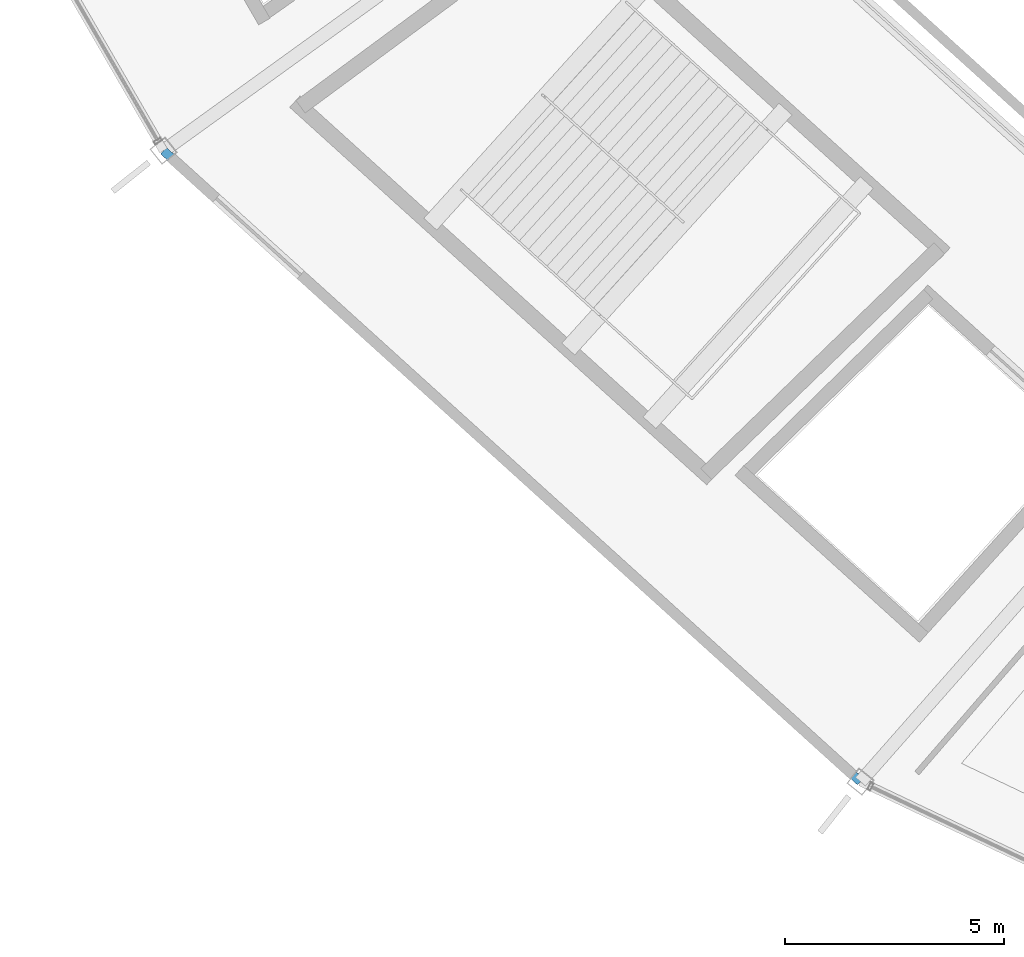
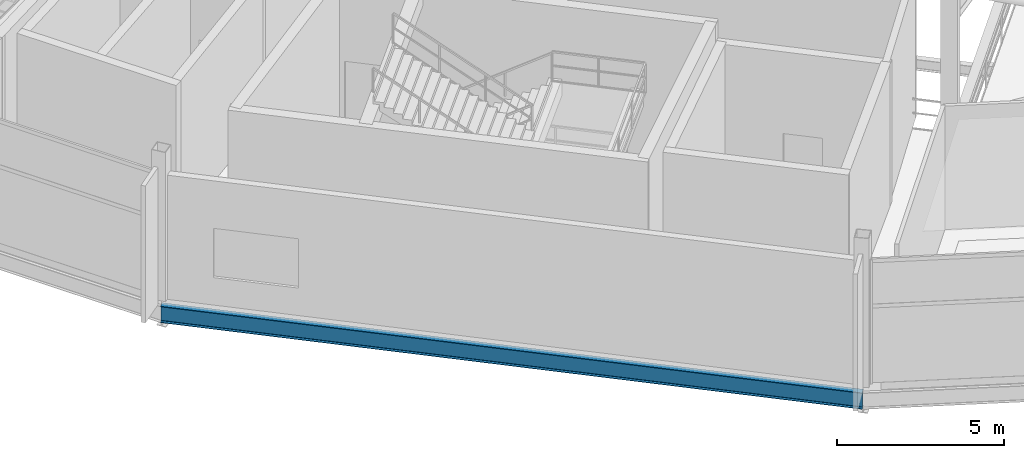
# One storey, part 11 of 186: 1 beam.
"""IFC4 building model written with IfcOpenShell, lengths in metres."""

from ifc_helpers import new_model, si_unit, direction, frame, origin, origin_2d, place, context, subcontext, project, spatial, i_section, extrude, material, material_profile, profile_set, type_object, element, save


model = new_model("IFC4")

# Units and contexts
model_context = context("Model", 3, precision=1e-05, world=origin(), true_north=direction((0.0, 1.0)))
body_context = subcontext(model_context, "Body", "Model", "MODEL_VIEW")
ifc_project = project(units=[si_unit("LENGTHUNIT", "METRE"), si_unit("AREAUNIT", "SQUARE_METRE"), si_unit("VOLUMEUNIT", "CUBIC_METRE"), si_unit("PLANEANGLEUNIT", "RADIAN"), si_unit("MASSUNIT", "GRAM", prefix="KILO")], contexts=[model_context])

# Site, building, storey
site_placement = place(None, origin())
site = spatial("IfcSite", under=ifc_project, at=site_placement, CompositionType="ELEMENT")
building_placement = place(site_placement, origin())
building = spatial("IfcBuilding", under=site, at=building_placement, Name="Kazemori Nagisa Stadium", CompositionType="ELEMENT")
storey_placement = place(building_placement, frame((0.0, 0.0, 20.39990234375)))
storey = spatial("IfcBuildingStorey", under=building, at=storey_placement, Name="L04", CompositionType="ELEMENT", Elevation=20.39990234375)

# Beam
ifc_material = material(Name="Steel SN490B", Category="steel")
ifc_material_profile = material_profile(ifc_material, i_section(OverallWidth=0.199951171875, OverallDepth=0.60009765625, WebThickness=0.010986328125, FlangeThickness=0.01708984375, FilletRadius=0.012939453125, at=origin_2d()), Name="H-600x200x11x17")
ifc_profile_set = profile_set([ifc_material_profile], Name="Steel SN490B")
beam_type = type_object("IfcBeamType", Name="Beam_BS-H600", PredefinedType="SPANDREL", material=ifc_profile_set)
beam_placement = place(storey_placement, frame((44.504638671875, 45.332275390625, -0.599853515625), z_axis=(0.741351531326, -0.671116910084, 0.0), x_axis=(0.671116910084, 0.741351531326, 0.0)))
element("IfcBeam", 1, at=beam_placement, inside=storey, type_object=beam_type, Name="Ring girder BS-H600 L04 R3-18", PredefinedType="SPANDREL", context=body_context, shape_type="SweptSolid", body=[
    extrude(i_section(OverallWidth=0.199951171875, OverallDepth=0.60009765625, WebThickness=0.010986328125, FlangeThickness=0.01708984375, FilletRadius=0.012939453125, at=origin_2d()), origin(), (0.0, 0.0, 1.0), 21.44384765625),
])

save(model, "model.ifc")
